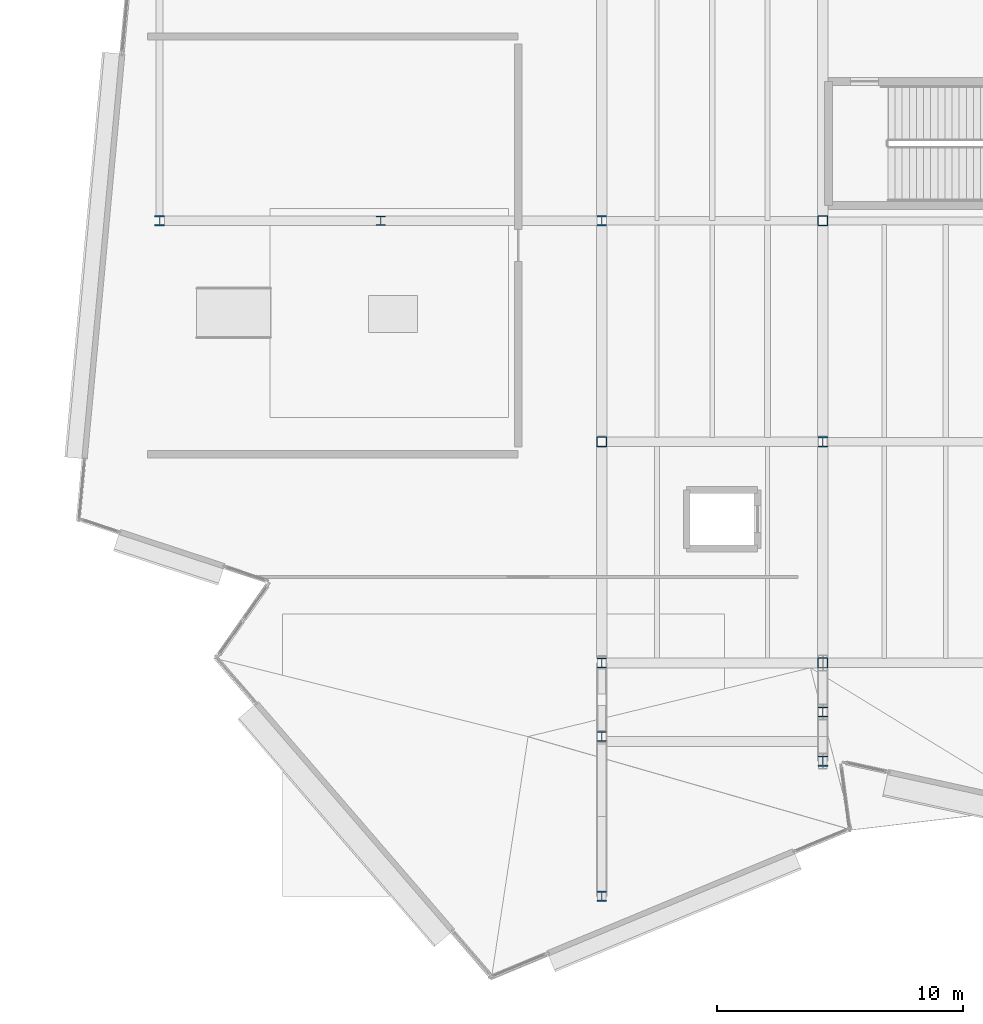
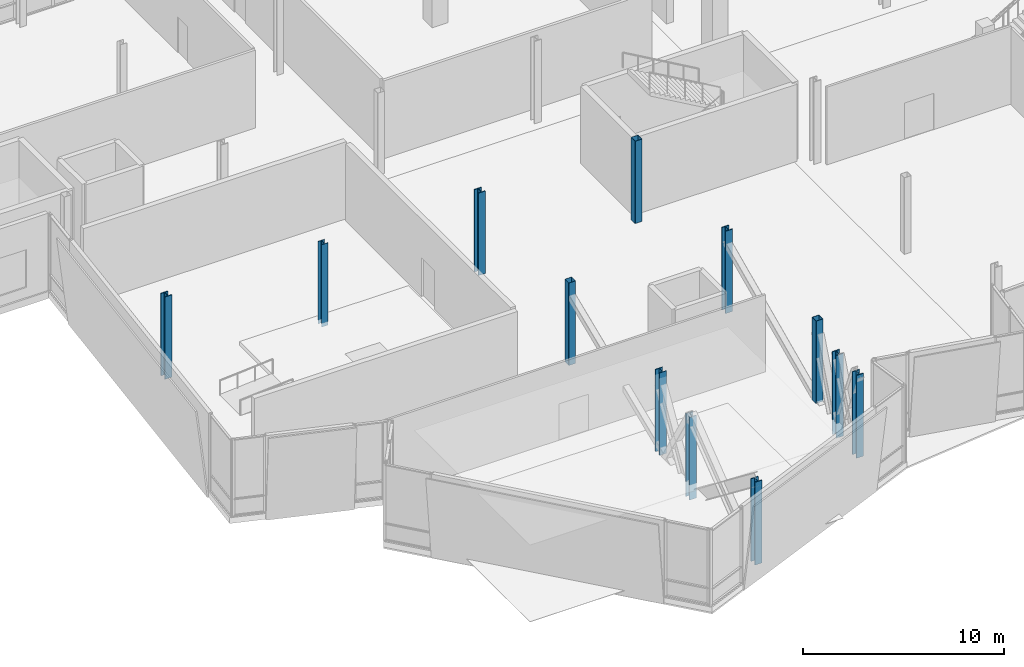
# One storey, part 1 of 73: 12 columns.
"""IFC4 building model written with IfcOpenShell, lengths in metres."""

import ifcopenshell
import ifcopenshell.guid

model = None  # the IFC model being written
_history = None  # IfcOwnerHistory: only IFC2X3 demands one
_inside = {}  # id of a spatial element -> (the spatial element, [elements in it])
_under = {}  # id of a project, library or spatial element -> (it, [spatial elements below it])
_declared = {}  # id of a project -> (the project, [libraries it declares])
_typed = {}  # id of a type object -> (the type object, [elements of that type])
_made_of = {}  # id of a material, layer set ... -> (it, [elements and type objects made of it])


def new_model(schema):
    """Start an empty IFC model of exactly this schema.

    Asked for "IFC4X3", IfcOpenShell would pick the latest addendum, in which some entities
    have other attributes; the version numbers below select the first issue.
    IFC2X3 requires an IfcOwnerHistory on every rooted entity: one is made here for all.
    """
    global model, _history
    if schema == "IFC4X3":
        model = ifcopenshell.file(schema_version=(4, 3, 0, 0))
    else:
        model = ifcopenshell.file(schema=schema)
    _inside.clear()
    _under.clear()
    _declared.clear()
    _typed.clear()
    _made_of.clear()
    _history = None
    if model.schema == "IFC2X3":
        org = make("IfcOrganization", Name="unknown")
        user = make(
            "IfcPersonAndOrganization",
            ThePerson=make("IfcPerson", FamilyName="unknown"),
            TheOrganization=org,
        )
        app = make(
            "IfcApplication",
            ApplicationDeveloper=org,
            Version="unknown",
            ApplicationFullName="unknown",
            ApplicationIdentifier="unknown",
        )
        _history = make(
            "IfcOwnerHistory",
            OwningUser=user,
            OwningApplication=app,
            ChangeAction="ADDED",
            CreationDate=0,
        )
    return model


def make(cls, **values):
    """One entity of the class cls with the attributes given. An attribute that is None is left unset."""
    return model.create_entity(
        cls, **{name: value for name, value in values.items() if value is not None}
    )


def rooted(cls, **values):
    """An entity with a GlobalId (a new one), such as an element, a storey or a relation."""
    return make(cls, GlobalId=ifcopenshell.guid.new(), OwnerHistory=_history, **values)


def si_unit(unit_type, name, prefix=None):
    """IfcSIUnit, for example si_unit("LENGTHUNIT", "METRE", prefix="MILLI")."""
    return make("IfcSIUnit", UnitType=unit_type, Prefix=prefix, Name=name)


def assignment(units):
    """IfcUnitAssignment: the units of a project."""
    return None if units is None else make("IfcUnitAssignment", Units=units)


def point(xyz):
    """IfcCartesianPoint."""
    return None if xyz is None else make("IfcCartesianPoint", Coordinates=xyz)


def direction(xyz):
    """IfcDirection."""
    return None if xyz is None else make("IfcDirection", DirectionRatios=xyz)


def frame(location, z_axis=None, x_axis=None):
    """IfcAxis2Placement3D, a coordinate frame: its origin and axes. An axis left out is left unset."""
    return make(
        "IfcAxis2Placement3D",
        Location=point(location),
        Axis=direction(z_axis),
        RefDirection=direction(x_axis),
    )


def frame_2d(location, x_axis=None):
    """IfcAxis2Placement2D, a coordinate frame in the plane: its origin and x axis."""
    return make(
        "IfcAxis2Placement2D", Location=point(location), RefDirection=direction(x_axis)
    )


def origin():
    """The frame at (0, 0, 0) with its axes left unset."""
    return frame((0.0, 0.0, 0.0))


def origin_2d():
    """The frame at (0, 0) in the plane with its x axis left unset."""
    return frame_2d((0.0, 0.0))


def place(relative_to, where):
    """IfcLocalPlacement: puts the frame where relative to a parent placement (None: the world)."""
    return make(
        "IfcLocalPlacement", PlacementRelTo=relative_to, RelativePlacement=where
    )


def context(
    kind, dimensions, precision=None, world=None, true_north=None, identifier=None
):
    """IfcGeometricRepresentationContext, for example the 3D "Model" context."""
    return make(
        "IfcGeometricRepresentationContext",
        ContextIdentifier=identifier,
        ContextType=kind,
        CoordinateSpaceDimension=dimensions,
        Precision=precision,
        WorldCoordinateSystem=world,
        TrueNorth=true_north,
    )


def subcontext(parent, identifier, kind, view, scale=None):
    """IfcGeometricRepresentationSubContext, for example "Body" below "Model"."""
    return make(
        "IfcGeometricRepresentationSubContext",
        ContextIdentifier=identifier,
        ContextType=kind,
        ParentContext=parent,
        TargetScale=scale,
        TargetView=view,
    )


def project(units=None, contexts=None):
    """IfcProject with its units and contexts."""
    return rooted(
        "IfcProject",
        Name="project",
        RepresentationContexts=contexts,
        UnitsInContext=assignment(units),
    )


def spatial(cls, under=None, at=None, **own):
    """A site, building, storey or space (cls), placed at a placement, below another one or the project."""
    s = rooted(cls, ObjectPlacement=at, **own)
    if under is not None:
        _under.setdefault(under.id(), (under, []))[1].append(s)
    return s


def profile(cls, at=None, kind="AREA", **sizes):
    """A parametric profile (cls). Its sizes go by their IFC names, for example OverallWidth=200.0."""
    return make(cls, ProfileType=kind, Position=at, **sizes)


def hollow_rectangle(**sizes):
    """IfcRectangleHollowProfileDef."""
    return profile("IfcRectangleHollowProfileDef", **sizes)


def i_section(**sizes):
    """IfcIShapeProfileDef."""
    return profile("IfcIShapeProfileDef", **sizes)


def extrude(swept, where, along, depth):
    """IfcExtrudedAreaSolid: the profile swept, set in the frame where, extruded along a direction by depth."""
    return make(
        "IfcExtrudedAreaSolid",
        SweptArea=swept,
        Position=where,
        ExtrudedDirection=direction(along),
        Depth=depth,
    )


def shape(context_of_items, identifier, shape_type, items):
    """IfcShapeRepresentation: the items that make up one representation, for example the "Body"."""
    return make(
        "IfcShapeRepresentation",
        ContextOfItems=context_of_items,
        RepresentationIdentifier=identifier,
        RepresentationType=shape_type,
        Items=items,
    )


def material(Name=None, Category=None):
    """IfcMaterial."""
    return make("IfcMaterial", Name=Name, Category=Category)


def material_profile(
    of_material, cross_section, Name=None, Category=None, Priority=None
):
    """IfcMaterialProfile: a cross section and its material."""
    return make(
        "IfcMaterialProfile",
        Name=Name,
        Material=of_material,
        Profile=cross_section,
        Priority=Priority,
        Category=Category,
    )


def profile_set(profiles, Name=None, composite=None):
    """IfcMaterialProfileSet."""
    return make(
        "IfcMaterialProfileSet",
        Name=Name,
        MaterialProfiles=profiles,
        CompositeProfile=composite,
    )


def made_of(thing, what):
    """Note that an element or type object is made of a material, layer set ...; save() writes the relation."""
    if what is not None:
        _made_of.setdefault(what.id(), (what, []))[1].append(thing)
    return thing


def type_object(cls, material=None, **own):
    """A type object (cls), such as IfcWallType, which elements share."""
    return made_of(rooted(cls, **own), material)


def element(
    cls,
    number,
    at=None,
    inside=None,
    cuts=None,
    type_object=None,
    material=None,
    context=None,
    identifier="Body",
    shape_type=None,
    held_by="IfcProductDefinitionShape",
    body=None,
    shapes=None,
    **own,
):
    """One element of the class cls, such as IfcWall. Its Tag is "e" and its number.

    at: its placement. inside: the storey or other place that contains it. cuts: it is an
    opening in that element (IfcRelVoidsElement). A single representation is given by context,
    identifier, shape_type and body (its items); several are given by shapes. held_by: the class
    of the entity that holds the representations. save() writes the other relations.
    """
    e = rooted(cls, Tag="e%d" % number, ObjectPlacement=at, **own)
    if body is not None:
        shapes = [shape(context, identifier, shape_type, body)]
    if shapes is not None:
        e.Representation = make(held_by, Representations=shapes)
    if inside is not None:
        _inside.setdefault(inside.id(), (inside, []))[1].append(e)
    if cuts is not None:
        rooted(
            "IfcRelVoidsElement", RelatingBuildingElement=cuts, RelatedOpeningElement=e
        )
    if type_object is not None:
        _typed.setdefault(type_object.id(), (type_object, []))[1].append(e)
    return made_of(e, material)


def aggregate(whole, parts):
    """IfcRelAggregates: a whole, such as a stair, and the parts it consists of."""
    return rooted("IfcRelAggregates", RelatingObject=whole, RelatedObjects=parts)


def save(model, path):
    """Write the relations noted so far, then the file.

    IfcRelAggregates (storeys below a building ...), IfcRelContainedInSpatialStructure (elements
    in a storey), IfcRelDefinesByType, IfcRelAssociatesMaterial and IfcRelDeclares: one each for
    every whole, place, type object, material and project.
    """
    for whole, parts in _under.values():
        aggregate(whole, parts)
    for where, things in _inside.values():
        rooted(
            "IfcRelContainedInSpatialStructure",
            RelatedElements=things,
            RelatingStructure=where,
        )
    for kind, things in _typed.values():
        rooted("IfcRelDefinesByType", RelatedObjects=things, RelatingType=kind)
    for what, things in _made_of.values():
        rooted("IfcRelAssociatesMaterial", RelatedObjects=things, RelatingMaterial=what)
    for by, libraries in _declared.values():
        rooted("IfcRelDeclares", RelatingContext=by, RelatedDefinitions=libraries)
    model.write(path)


model = new_model("IFC4")

# Units and contexts
model_context = context("Model", 3, precision=1e-05, world=origin(), true_north=direction((0.0, 1.0)))
body_context = subcontext(model_context, "Body", "Model", "MODEL_VIEW")
ifc_project = project(units=[si_unit("LENGTHUNIT", "METRE"), si_unit("AREAUNIT", "SQUARE_METRE"), si_unit("VOLUMEUNIT", "CUBIC_METRE"), si_unit("PLANEANGLEUNIT", "RADIAN"), si_unit("MASSUNIT", "GRAM", prefix="KILO")], contexts=[model_context])

# Site, building, storey
site_placement = place(None, origin())
site = spatial("IfcSite", under=ifc_project, at=site_placement, CompositionType="ELEMENT")
building_placement = place(site_placement, origin())
building = spatial("IfcBuilding", under=site, at=building_placement, Name="Trimount Lyric Opera House", CompositionType="ELEMENT")
storey_placement = place(building_placement, frame((0.0, 0.0, 10.0)))
storey = spatial("IfcBuildingStorey", under=building, at=storey_placement, Name="L02", CompositionType="ELEMENT", Elevation=10.0)

# Columns
ifc_material_1 = material(Name="Steel ASTM A992 Grade 50", Category="steel")
ifc_material_profile_1 = material_profile(ifc_material_1, i_section(OverallWidth=0.406005859375, OverallDepth=0.4169921875, WebThickness=0.02978515625, FlangeThickness=0.048095703125, FilletRadius=0.01806640625, at=origin_2d()), Name="W14X257")
ifc_profile_set_1 = profile_set([ifc_material_profile_1], Name="Steel ASTM A992 Grade 50")
column_type_1 = type_object("IfcColumnType", Name="C-02", PredefinedType="COLUMN", material=ifc_profile_set_1)
for number, where, z_axis, x_axis, name in (
    (1, (27.0, 44.0, 0.0), (0.0, 0.0, 1.0), (1.0, 0.0, 0.0), "L02 column 4/F"),
    (2, (45.0, 26.0, 0.0), (0.0, 0.0, 1.0), (1.0, 0.0, 0.0), "L02 column 6/D"),
    (3, (45.0, 44.0, 0.0), (0.0, 0.0, 1.0), (1.0, 0.0, 0.0), "L02 column 6/F"),
    (4, (54.0, 35.0, 0.0), (0.0, 0.0, 1.0), (1.0, 0.0, 0.0), "L02 column 7/E"),
):
    element("IfcColumn", number, at=place(storey_placement, frame(where, z_axis=z_axis, x_axis=x_axis)), inside=storey, type_object=column_type_1, Name=name, PredefinedType="COLUMN", context=body_context, shape_type="SweptSolid", body=[
        extrude(i_section(OverallWidth=0.406005859375, OverallDepth=0.4169921875, WebThickness=0.02978515625, FlangeThickness=0.048095703125, FilletRadius=0.01806640625, at=origin_2d()), origin(), (0.0, 0.0, 1.0), 5.0),
    ])
for number, where, z_axis, x_axis, name in (
    (5, (45.0, 16.5, -0.89599609375), (0.0, 0.0, 1.0), (1.0, 0.0, 0.0), "L02 crystal truss 2 post 1"),
    (6, (45.0, 23.0, -0.89599609375), (0.0, 0.0, 1.0), (1.0, 0.0, 0.0), "L02 crystal truss 2 post 2"),
    (7, (54.0, 22.0, -0.89599609375), (0.0, 0.0, 1.0), (1.0, 0.0, 0.0), "L02 crystal truss 3 post 1"),
    (8, (54.0, 24.0, -0.89599609375), (0.0, 0.0, 1.0), (1.0, 0.0, 0.0), "L02 crystal truss 3 post 2"),
):
    element("IfcColumn", number, at=place(storey_placement, frame(where, z_axis=z_axis, x_axis=x_axis)), inside=storey, type_object=column_type_1, Name=name, PredefinedType="COLUMN", context=body_context, shape_type="SweptSolid", body=[
        extrude(i_section(OverallWidth=0.406005859375, OverallDepth=0.4169921875, WebThickness=0.02978515625, FlangeThickness=0.048095703125, FilletRadius=0.01806640625, at=origin_2d()), origin(), (0.0, 0.0, 1.0), 5.02490234375),
    ])
ifc_material_2 = material(Name="Steel ASTM A992 Grade 50", Category="steel")
ifc_material_profile_2 = material_profile(ifc_material_2, i_section(OverallWidth=0.367919921875, OverallDepth=0.35595703125, WebThickness=0.01123046875, FlangeThickness=0.01806640625, FilletRadius=0.014892578125, at=origin_2d()), Name="W14X90")
ifc_profile_set_2 = profile_set([ifc_material_profile_2], Name="Steel ASTM A992 Grade 50")
column_type_2 = type_object("IfcColumnType", Name="C-05", PredefinedType="COLUMN", material=ifc_profile_set_2)
column_placement = place(storey_placement, frame((36.0, 44.0, 0.0), z_axis=(0.0, 0.0, 1.0), x_axis=(1.0, 0.0, 0.0)))
element("IfcColumn", 9, at=column_placement, inside=storey, type_object=column_type_2, Name="L02 crystal roof column 36/44", PredefinedType="COLUMN", context=body_context, shape_type="SweptSolid", body=[
    extrude(i_section(OverallWidth=0.367919921875, OverallDepth=0.35595703125, WebThickness=0.01123046875, FlangeThickness=0.01806640625, FilletRadius=0.014892578125, at=origin_2d()), origin(), (0.0, 0.0, 1.0), 5.0),
])
ifc_material_3 = material(Name="Steel ASTM A500 Grade C", Category="steel")
ifc_material_profile_3 = material_profile(ifc_material_3, hollow_rectangle(XDim=0.406494140625, YDim=0.406494140625, WallThickness=0.014892578125, InnerFilletRadius=0.01513671875, OuterFilletRadius=0.030029296875, at=origin_2d()), Name="HSS406.4X406.4X15.9")
ifc_profile_set_3 = profile_set([ifc_material_profile_3], Name="Steel ASTM A500 Grade C")
column_type_3 = type_object("IfcColumnType", Name="C-07", PredefinedType="COLUMN", material=ifc_profile_set_3)
for number, where, z_axis, x_axis, name in (
    (10, (45.0, 35.0, 0.0), (0.0, 0.0, 1.0), (1.0, 0.0, 0.0), "L02 column 6/E"),
    (11, (54.0, 26.0, 0.0), (0.0, 0.0, 1.0), (1.0, 0.0, 0.0), "L02 column 7/D"),
    (12, (54.0, 44.0, 0.0), (0.0, 0.0, 1.0), (1.0, 0.0, 0.0), "L02 column 7/F"),
):
    element("IfcColumn", number, at=place(storey_placement, frame(where, z_axis=z_axis, x_axis=x_axis)), inside=storey, type_object=column_type_3, Name=name, PredefinedType="COLUMN", context=body_context, shape_type="SweptSolid", body=[
        extrude(hollow_rectangle(XDim=0.406494140625, YDim=0.406494140625, WallThickness=0.014892578125, InnerFilletRadius=0.01513671875, OuterFilletRadius=0.030029296875, at=origin_2d()), origin(), (0.0, 0.0, 1.0), 5.0),
    ])

save(model, "model.ifc")
